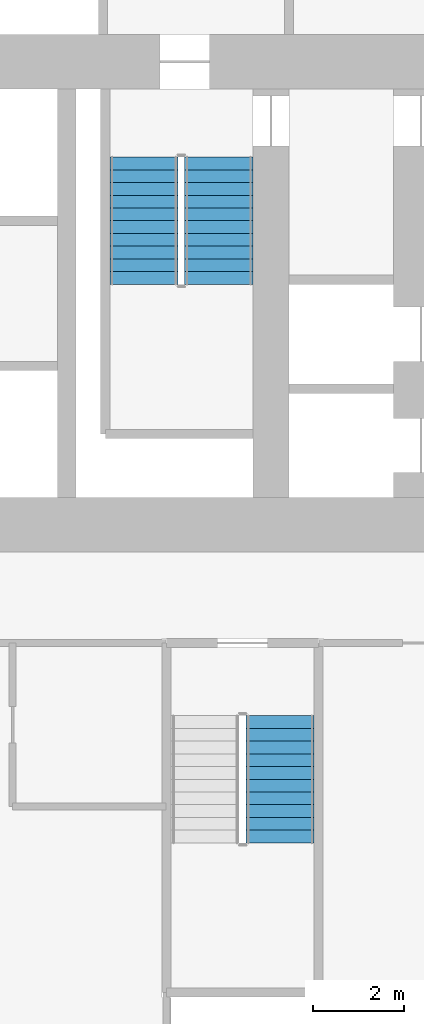
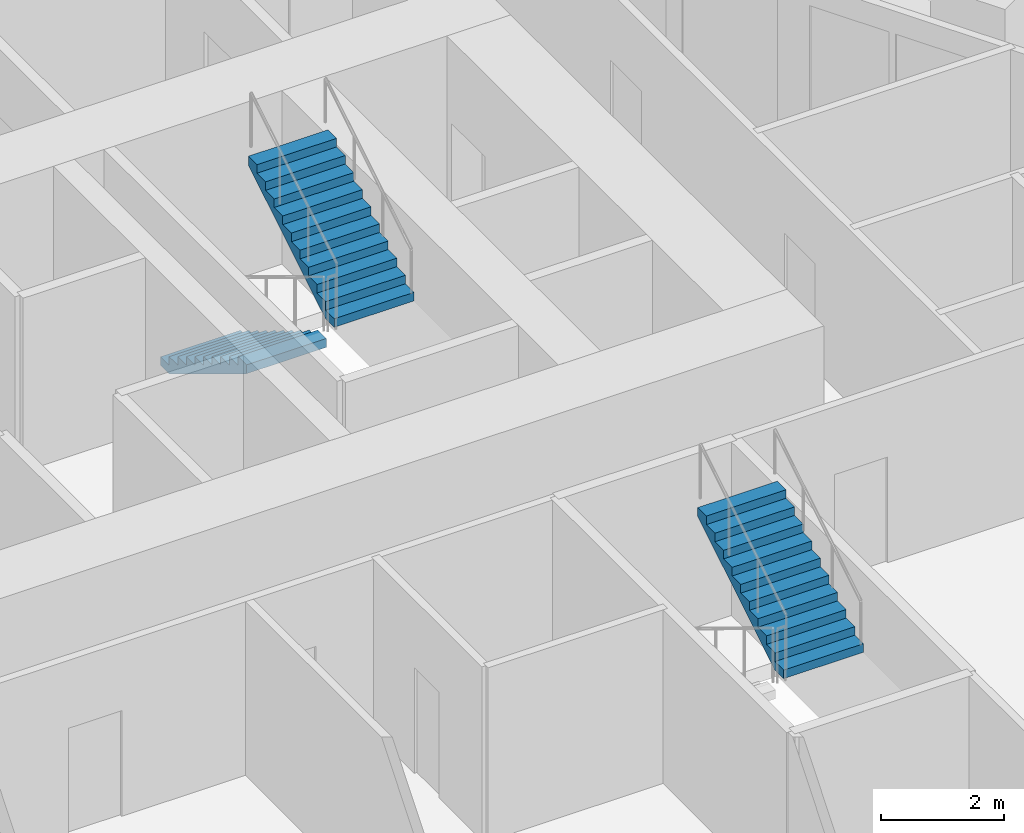
# One storey, part 7 of 8: 3 stair flights, 2 elements without a shape of their own.
"""IFC4 building model written with IfcOpenShell, lengths in metres."""

from ifc_helpers import new_model, si_unit, direction, frame, origin, place, context, subcontext, project, spatial, polyline, outline, extrude, material, type_object, element, aggregate, save


model = new_model("IFC4")

# Units and contexts
model_context = context("Model", 3, precision=1e-05, world=origin(), true_north=direction((0.0, 1.0)))
body_context = subcontext(model_context, "Body", "Model", "MODEL_VIEW")
ifc_project = project(units=[si_unit("LENGTHUNIT", "METRE"), si_unit("AREAUNIT", "SQUARE_METRE"), si_unit("VOLUMEUNIT", "CUBIC_METRE"), si_unit("PLANEANGLEUNIT", "RADIAN"), si_unit("MASSUNIT", "GRAM", prefix="KILO")], contexts=[model_context])

# Site, building, storey
site_placement = place(None, origin())
site = spatial("IfcSite", under=ifc_project, at=site_placement, CompositionType="ELEMENT")
building_placement = place(site_placement, origin())
building = spatial("IfcBuilding", under=site, at=building_placement, Name="Ostrander Bayou Hotel Tower", CompositionType="ELEMENT")
storey_placement = place(building_placement, frame((0.0, 0.0, 50.5)))
storey = spatial("IfcBuildingStorey", under=building, at=storey_placement, Name="L12", CompositionType="ELEMENT", Elevation=50.5)

# Stair, stair flights
ifc_material_1 = material(Name="Concrete f'c 45 MPa", Category="concrete")
stair_type = type_object("IfcStairType", Name="ST1 exit stair 1500 mm f'c 45 MPa", PredefinedType="HALF_TURN_STAIR", material=ifc_material_1)
stair_1_placement = place(storey_placement, origin())
stair_1 = element("IfcStair", 1, at=stair_1_placement, inside=storey, type_object=stair_type, Name="L12 exit stair B", PredefinedType="HALF_TURN_STAIR")
ifc_material_2 = material(Name="Concrete f'c 45 MPa", Category="concrete")
stair_flight_type = type_object("IfcStairFlightType", Name="SF1 stair flight 1500 mm f'c 45 MPa", PredefinedType="STRAIGHT", material=ifc_material_2)
stair_flight_1_placement = place(storey_placement, frame((5.300048828125, 7.0, 0.0), z_axis=(0.0, 0.0, 1.0), x_axis=(0.0, -1.0, 0.0)))
stair_flight_1 = element("IfcStairFlight", 2, at=stair_flight_1_placement, type_object=stair_flight_type, Name="STB flight 1", NumberOfRisers=11, NumberOfTreads=10, PredefinedType="STRAIGHT", RiserHeight=0.170454545, TreadLength=0.28, context=body_context, shape_type="SweptSolid", body=[
    extrude(outline(polyline([(0.0, 0.0), (0.0, 0.17041015625), (0.280029296875, 0.17041015625), (0.280029296875, 0.3408203125), (0.56005859375, 0.3408203125), (0.56005859375, 0.511474609375), (0.840087890625, 0.511474609375), (0.840087890625, 0.681884765625), (1.1201171875, 0.681884765625), (1.1201171875, 0.852294921875), (1.39990234375, 0.852294921875), (1.39990234375, 1.022705078125), (1.679931640625, 1.022705078125), (1.679931640625, 1.193115234375), (1.9599609375, 1.193115234375), (1.9599609375, 1.363525390625), (2.239990234375, 1.363525390625), (2.239990234375, 1.5341796875), (2.52001953125, 1.5341796875), (2.52001953125, 1.70458984375), (2.800048828125, 1.70458984375), (2.800048828125, 1.875), (2.800048828125, 1.529052734375), (0.288330078125, 0.0), (0.0, 0.0)])), frame((0.0, 0.75, 0.0), z_axis=(0.0, -1.0, 0.0), x_axis=(1.0, 0.0, 0.0)), (0.0, 0.0, 1.0), 1.5),
])
stair_flight_2_placement = place(storey_placement, frame((6.949951171875, 4.199951171875, 1.875), z_axis=(0.0, 0.0, 1.0), x_axis=(0.0, 1.0, 0.0)))
stair_flight_2 = element("IfcStairFlight", 3, at=stair_flight_2_placement, type_object=stair_flight_type, Name="STB flight 2", NumberOfRisers=11, NumberOfTreads=10, PredefinedType="STRAIGHT", RiserHeight=0.170454545, TreadLength=0.28, context=body_context, shape_type="SweptSolid", body=[
    extrude(outline(polyline([(0.0, 0.0), (0.0, 0.17041015625), (0.280029296875, 0.17041015625), (0.280029296875, 0.3408203125), (0.56005859375, 0.3408203125), (0.56005859375, 0.511474609375), (0.840087890625, 0.511474609375), (0.840087890625, 0.681884765625), (1.1201171875, 0.681884765625), (1.1201171875, 0.852294921875), (1.39990234375, 0.852294921875), (1.39990234375, 1.022705078125), (1.679931640625, 1.022705078125), (1.679931640625, 1.193115234375), (1.9599609375, 1.193115234375), (1.9599609375, 1.363525390625), (2.239990234375, 1.363525390625), (2.239990234375, 1.5341796875), (2.52001953125, 1.5341796875), (2.52001953125, 1.70458984375), (2.800048828125, 1.70458984375), (2.800048828125, 1.875), (2.800048828125, 1.529052734375), (0.288330078125, 0.0), (0.0, 0.0)])), frame((0.0, 0.75, 0.0), z_axis=(0.0, -1.0, 0.0), x_axis=(1.0, 0.0, 0.0)), (0.0, 0.0, 1.0), 1.5),
])
aggregate(stair_1, [stair_flight_1, stair_flight_2])

# Stair, stair flight
stair_2_placement = place(storey_placement, origin())
stair_2 = element("IfcStair", 4, at=stair_2_placement, inside=storey, type_object=stair_type, Name="L12 exit stair C", PredefinedType="HALF_TURN_STAIR")
stair_flight_3_placement = place(storey_placement, frame((8.300048828125, -8.10009765625, 1.875), z_axis=(0.0, 0.0, 1.0), x_axis=(0.0, 1.0, 0.0)))
stair_flight_3 = element("IfcStairFlight", 5, at=stair_flight_3_placement, type_object=stair_flight_type, Name="STC flight 2", NumberOfRisers=11, NumberOfTreads=10, PredefinedType="STRAIGHT", RiserHeight=0.170454545, TreadLength=0.28, context=body_context, shape_type="SweptSolid", body=[
    extrude(outline(polyline([(0.0, 0.0), (0.0, 0.17041015625), (0.280029296875, 0.17041015625), (0.280029296875, 0.3408203125), (0.56005859375, 0.3408203125), (0.56005859375, 0.511474609375), (0.840087890625, 0.511474609375), (0.840087890625, 0.681884765625), (1.1201171875, 0.681884765625), (1.1201171875, 0.852294921875), (1.39990234375, 0.852294921875), (1.39990234375, 1.022705078125), (1.679931640625, 1.022705078125), (1.679931640625, 1.193115234375), (1.9599609375, 1.193115234375), (1.9599609375, 1.363525390625), (2.239990234375, 1.363525390625), (2.239990234375, 1.5341796875), (2.52001953125, 1.5341796875), (2.52001953125, 1.70458984375), (2.800048828125, 1.70458984375), (2.800048828125, 1.875), (2.800048828125, 1.529052734375), (0.288330078125, 0.0), (0.0, 0.0)])), frame((0.0, 0.75, 0.0), z_axis=(0.0, -1.0, 0.0), x_axis=(1.0, 0.0, 0.0)), (0.0, 0.0, 1.0), 1.5),
])
aggregate(stair_2, [stair_flight_3])

save(model, "model.ifc")
